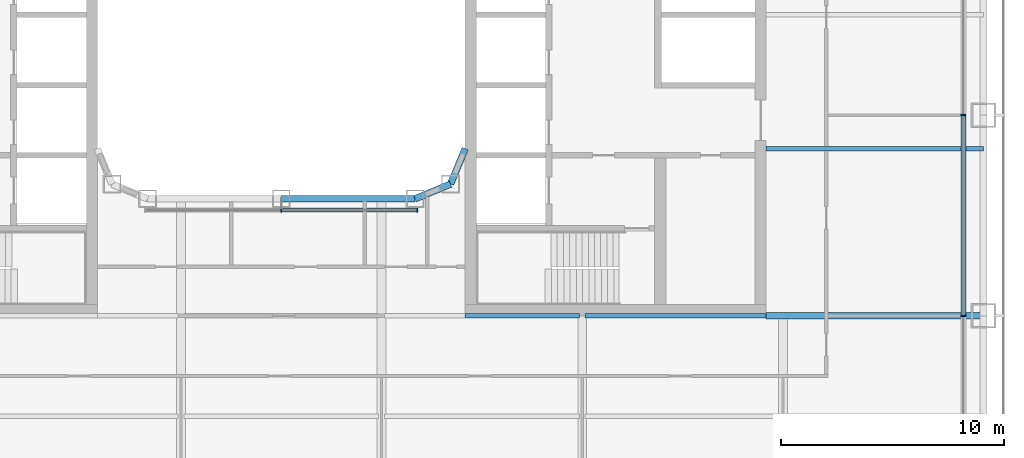
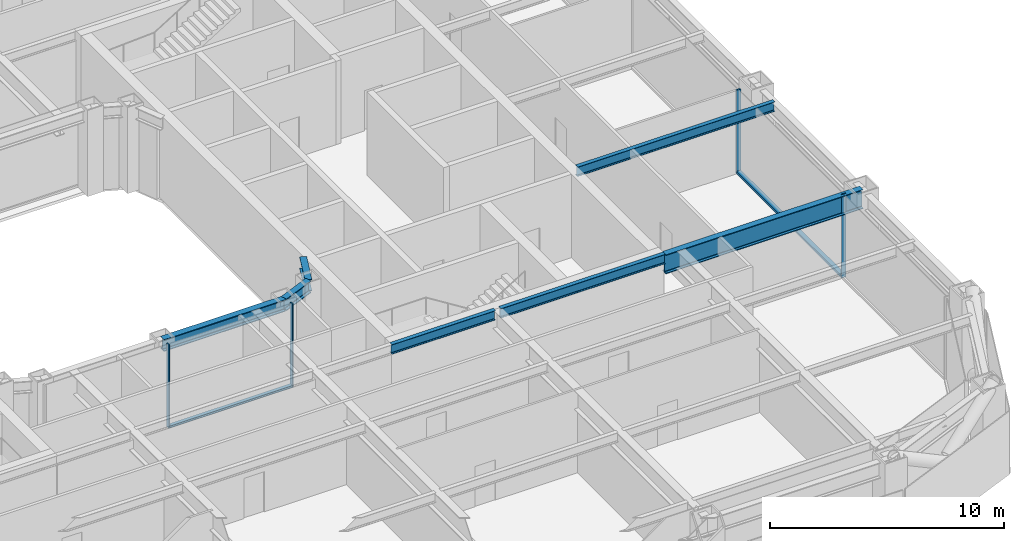
# One storey, part 5 of 28: 7 beams, 6 members, 2 elements without a shape of their own.
"""IFC4 building model written with IfcOpenShell, lengths in metres."""

from ifc_helpers import new_model, si_unit, direction, frame, origin, origin_2d, place, context, subcontext, project, spatial, rectangle, i_section, extrude, material, layer, layer_set, material_profile, profile_set, type_object, element, aggregate, save


model = new_model("IFC4")

# Units and contexts
model_context = context("Model", 3, precision=1e-05, world=origin(), true_north=direction((0.0, 1.0)))
body_context = subcontext(model_context, "Body", "Model", "MODEL_VIEW")
ifc_project = project(units=[si_unit("LENGTHUNIT", "METRE"), si_unit("AREAUNIT", "SQUARE_METRE"), si_unit("VOLUMEUNIT", "CUBIC_METRE"), si_unit("PLANEANGLEUNIT", "RADIAN"), si_unit("MASSUNIT", "GRAM", prefix="KILO")], contexts=[model_context])

# Site, building, storey
site_placement = place(None, origin())
site = spatial("IfcSite", under=ifc_project, at=site_placement, CompositionType="ELEMENT")
building_placement = place(site_placement, origin())
building = spatial("IfcBuilding", under=site, at=building_placement, Name="Siwar Civic Tower", CompositionType="ELEMENT")
storey_placement = place(building_placement, frame((0.0, 0.0, 31.199951171875)))
storey = spatial("IfcBuildingStorey", under=building, at=storey_placement, Name="L06", CompositionType="ELEMENT", Elevation=31.199951171875)

# Curtain wall, members
ifc_material_1 = material(Name="Aluminium and glass", Category="aluminium")
ifc_layer_1 = layer(ifc_material_1, 0.219970703125)
ifc_layer_set_1 = layer_set([ifc_layer_1], Name="Aluminium and glass")
curtain_wall_type_1 = type_object("IfcCurtainWallType", Name="ENV-CW-A", PredefinedType="NOTDEFINED", material=ifc_layer_set_1)
curtain_wall_1_placement = place(storey_placement, origin())
curtain_wall_1 = element("IfcCurtainWall", 1, at=curtain_wall_1_placement, inside=storey, type_object=curtain_wall_type_1, Name="Curtain wall A E", PredefinedType="NOTDEFINED")
ifc_material_2 = material(Name="Aluminium 6063-T6", Category="aluminium")
ifc_material_profile_1 = material_profile(ifc_material_2, rectangle(XDim=0.219970703125, YDim=0.070068359375, at=origin_2d()), Name="AL 220x70")
ifc_profile_set_1 = profile_set([ifc_material_profile_1], Name="Aluminium 6063-T6")
member_type_1 = type_object("IfcMemberType", Name="ENV-MULLION-A", PredefinedType="MULLION", material=ifc_profile_set_1)
member_1_placement = place(storey_placement, frame((30.60009765625, -13.5, 0.0), z_axis=(0.0, 0.0, 1.0), x_axis=(-1.0, 0.0, 0.0)))
member_1 = element("IfcMember", 2, at=member_1_placement, type_object=member_type_1, Name="Mullion A E 2", PredefinedType="MULLION", context=body_context, shape_type="SweptSolid", body=[
    extrude(rectangle(XDim=0.219970703125, YDim=0.070068359375, at=origin_2d()), origin(), (0.0, 0.0, 1.0), 4.35009765625),
])
member_2_placement = place(storey_placement, frame((30.60009765625, -4.5, 0.0), z_axis=(0.0, 0.0, 1.0), x_axis=(-1.0, 0.0, 0.0)))
member_2 = element("IfcMember", 3, at=member_2_placement, type_object=member_type_1, Name="Mullion A E 3", PredefinedType="MULLION", context=body_context, shape_type="SweptSolid", body=[
    extrude(rectangle(XDim=0.219970703125, YDim=0.070068359375, at=origin_2d()), origin(), (0.0, 0.0, 1.0), 4.35009765625),
])

ifc_material_3 = material(Name="Aluminium and glass", Category="aluminium")
ifc_layer_2 = layer(ifc_material_3, 0.179931640625)
ifc_layer_set_2 = layer_set([ifc_layer_2], Name="Aluminium and glass")
curtain_wall_type_2 = type_object("IfcCurtainWallType", Name="ENV-CW-W", PredefinedType="NOTDEFINED", material=ifc_layer_set_2)
curtain_wall_2_placement = place(storey_placement, origin())
curtain_wall_2 = element("IfcCurtainWall", 4, at=curtain_wall_2_placement, inside=storey, type_object=curtain_wall_type_2, Name="Curtain wall W WS", PredefinedType="NOTDEFINED")
ifc_material_4 = material(Name="Aluminium 6063-T6", Category="aluminium")
ifc_material_profile_2 = material_profile(ifc_material_4, rectangle(XDim=0.179931640625, YDim=0.06005859375, at=origin_2d()), Name="AL 180x60")
ifc_profile_set_2 = profile_set([ifc_material_profile_2], Name="Aluminium 6063-T6")
member_type_2 = type_object("IfcMemberType", Name="ENV-MULLION-W", PredefinedType="MULLION", material=ifc_profile_set_2)
member_3_placement = place(storey_placement, frame((0.0, -8.760009765625, 0.0), z_axis=(0.0, 0.0, 1.0), x_axis=(0.0, 1.0, 0.0)))
member_3 = element("IfcMember", 5, at=member_3_placement, type_object=member_type_2, Name="Mullion W WS 2", PredefinedType="MULLION", context=body_context, shape_type="SweptSolid", body=[
    extrude(rectangle(XDim=0.179931640625, YDim=0.06005859375, at=origin_2d()), origin(), (0.0, 0.0, 1.0), 4.35009765625),
])
member_4_placement = place(storey_placement, frame((6.1015625, -8.760009765625, 0.0), z_axis=(0.0, 0.0, 1.0), x_axis=(0.0, 1.0, 0.0)))
member_4 = element("IfcMember", 6, at=member_4_placement, type_object=member_type_2, Name="Mullion W WS 3", PredefinedType="MULLION", context=body_context, shape_type="SweptSolid", body=[
    extrude(rectangle(XDim=0.179931640625, YDim=0.06005859375, at=origin_2d()), origin(), (0.0, 0.0, 1.0), 4.35009765625),
])

# Member
ifc_material_5 = material(Name="Aluminium 6063-T6", Category="aluminium")
ifc_material_profile_3 = material_profile(ifc_material_5, rectangle(XDim=0.219970703125, YDim=0.1201171875, at=origin_2d()), Name="AL 220x120")
ifc_profile_set_3 = profile_set([ifc_material_profile_3], Name="Aluminium 6063-T6")
member_type_3 = type_object("IfcMemberType", Name="ENV-TRANSOM-A", PredefinedType="USERDEFINED", material=ifc_profile_set_3)
member_5_placement = place(storey_placement, frame((30.60009765625, -13.465087890625, 0.06005859375), z_axis=(0.0, 1.0, 0.0), x_axis=(-1.0, 0.0, 0.0)))
member_5 = element("IfcMember", 7, at=member_5_placement, type_object=member_type_3, Name="Transom A E 2", ObjectType="TRANSOM", PredefinedType="USERDEFINED", context=body_context, shape_type="SweptSolid", body=[
    extrude(rectangle(XDim=0.219970703125, YDim=0.1201171875, at=origin_2d()), origin(), (0.0, 0.0, 1.0), 8.93017578125),
])

aggregate(curtain_wall_1, [member_1, member_2, member_5])

ifc_material_6 = material(Name="Aluminium 6063-T6", Category="aluminium")
ifc_material_profile_4 = material_profile(ifc_material_6, rectangle(XDim=0.179931640625, YDim=0.10009765625, at=origin_2d()), Name="AL 180x100")
ifc_profile_set_4 = profile_set([ifc_material_profile_4], Name="Aluminium 6063-T6")
member_type_4 = type_object("IfcMemberType", Name="ENV-TRANSOM-W", PredefinedType="USERDEFINED", material=ifc_profile_set_4)
member_6_placement = place(storey_placement, frame((0.030029296875, -8.760009765625, 0.050048828125), z_axis=(1.0, 0.0, 0.0), x_axis=(0.0, 1.0, 0.0)))
member_6 = element("IfcMember", 8, at=member_6_placement, type_object=member_type_4, Name="Transom W WS 2", ObjectType="TRANSOM", PredefinedType="USERDEFINED", context=body_context, shape_type="SweptSolid", body=[
    extrude(rectangle(XDim=0.179931640625, YDim=0.10009765625, at=origin_2d()), origin(), (0.0, 0.0, 1.0), 6.04150390625),
])

aggregate(curtain_wall_2, [member_3, member_4, member_6])

# Beams
ifc_material_7 = material(Name="Steel S355", Category="steel")
ifc_material_profile_5 = material_profile(ifc_material_7, i_section(OverallWidth=0.199951171875, OverallDepth=0.5, WebThickness=0.01025390625, FlangeThickness=0.01611328125, FilletRadius=0.02099609375, at=origin_2d()), Name="IPE500")
ifc_profile_set_5 = profile_set([ifc_material_profile_5], Name="Steel S355")
beam_type_1 = type_object("IfcBeamType", Name="STR-FB-IPE500", PredefinedType="JOIST", material=ifc_profile_set_5)
beam_1_placement = place(storey_placement, frame((8.25, -13.5, 4.10009765625), z_axis=(1.0, 0.0, 0.0), x_axis=(0.0, 1.0, 0.0)))
element("IfcBeam", 9, at=beam_1_placement, inside=storey, type_object=beam_type_1, Name="L06/bm/F028", PredefinedType="JOIST", context=body_context, shape_type="SweptSolid", body=[
    extrude(i_section(OverallWidth=0.199951171875, OverallDepth=0.5, WebThickness=0.01025390625, FlangeThickness=0.01611328125, FilletRadius=0.02099609375, at=origin_2d()), origin(), (0.0, 0.0, 1.0), 5.1201171875),
])
beam_2_placement = place(storey_placement, frame((13.6298828125, -13.5, 4.10009765625), z_axis=(1.0, 0.0, 0.0), x_axis=(0.0, 1.0, 0.0)))
element("IfcBeam", 10, at=beam_2_placement, inside=storey, type_object=beam_type_1, Name="L06/bm/F029", PredefinedType="JOIST", context=body_context, shape_type="SweptSolid", body=[
    extrude(i_section(OverallWidth=0.199951171875, OverallDepth=0.5, WebThickness=0.01025390625, FlangeThickness=0.01611328125, FilletRadius=0.02099609375, at=origin_2d()), origin(), (0.0, 0.0, 1.0), 8.1201171875),
])
beam_3_placement = place(storey_placement, frame((21.75, -6.0, 4.10009765625), z_axis=(1.0, 0.0, 0.0), x_axis=(0.0, 1.0, 0.0)))
element("IfcBeam", 11, at=beam_3_placement, inside=storey, type_object=beam_type_1, Name="L06/bm/F032", PredefinedType="JOIST", context=body_context, shape_type="SweptSolid", body=[
    extrude(i_section(OverallWidth=0.199951171875, OverallDepth=0.5, WebThickness=0.01025390625, FlangeThickness=0.01611328125, FilletRadius=0.02099609375, at=origin_2d()), origin(), (0.0, 0.0, 1.0), 9.75),
])
ifc_material_8 = material(Name="Steel S355", Category="steel")
ifc_material_profile_6 = material_profile(ifc_material_8, i_section(OverallWidth=0.300048828125, OverallDepth=1.0, WebThickness=0.01904296875, FlangeThickness=0.035888671875, FilletRadius=0.030029296875, at=origin_2d()), Name="HEB1000")
ifc_profile_set_6 = profile_set([ifc_material_profile_6], Name="Steel S355")
beam_type_2 = type_object("IfcBeamType", Name="STR-PG-HEB1000", PredefinedType="BEAM", material=ifc_profile_set_6)
beam_4_placement = place(storey_placement, frame((21.75, -13.5, 3.85009765625), z_axis=(1.0, 0.0, 0.0), x_axis=(0.0, 1.0, 0.0)))
element("IfcBeam", 12, at=beam_4_placement, inside=storey, type_object=beam_type_2, Name="L06/bm/F030", PredefinedType="BEAM", context=body_context, shape_type="SweptSolid", body=[
    extrude(i_section(OverallWidth=0.300048828125, OverallDepth=1.0, WebThickness=0.01904296875, FlangeThickness=0.035888671875, FilletRadius=0.030029296875, at=origin_2d()), origin(), (0.0, 0.0, 1.0), 9.75),
])
ifc_material_9 = material(Name="Steel S355", Category="steel")
ifc_material_profile_7 = material_profile(ifc_material_9, i_section(OverallWidth=0.304931640625, OverallDepth=0.6201171875, WebThickness=0.02099609375, FlangeThickness=0.0400390625, FilletRadius=0.027099609375, at=origin_2d()), Name="HEM600")
ifc_profile_set_7 = profile_set([ifc_material_profile_7], Name="Steel S355")
beam_type_3 = type_object("IfcBeamType", Name="STR-RB-HEM600", PredefinedType="BEAM", material=ifc_profile_set_7)
beam_5_placement = place(storey_placement, frame((0.0, -8.25, 4.0400390625), z_axis=(1.0, 0.0, 0.0), x_axis=(0.0, 1.0, 0.0)))
element("IfcBeam", 13, at=beam_5_placement, inside=storey, type_object=beam_type_3, Name="L06/bm/RS2", PredefinedType="BEAM", context=body_context, shape_type="SweptSolid", body=[
    extrude(i_section(OverallWidth=0.304931640625, OverallDepth=0.6201171875, WebThickness=0.02099609375, FlangeThickness=0.0400390625, FilletRadius=0.027099609375, at=origin_2d()), origin(), (0.0, 0.0, 1.0), 6.0),
])
for number, where, z_axis, x_axis, name in (
    (14, (6.0, -8.25, 4.0400390625), (0.923901072997, 0.382631424892, 0.0), (-0.382631424892, 0.923901072997, 0.0), "L06/bm/RS3"),
    (15, (7.591064453125, -7.591064453125, 4.0400390625), (0.382631424892, 0.923901072997, 0.0), (-0.923901072997, 0.382631424892, 0.0), "L06/bm/RSEE"),
):
    element("IfcBeam", number, at=place(storey_placement, frame(where, z_axis=z_axis, x_axis=x_axis)), inside=storey, type_object=beam_type_3, Name=name, PredefinedType="BEAM", context=body_context, shape_type="SweptSolid", body=[
        extrude(i_section(OverallWidth=0.304931640625, OverallDepth=0.6201171875, WebThickness=0.02099609375, FlangeThickness=0.0400390625, FilletRadius=0.027099609375, at=origin_2d()), origin(), (0.0, 0.0, 1.0), 1.72216796875),
    ])

save(model, "model.ifc")
